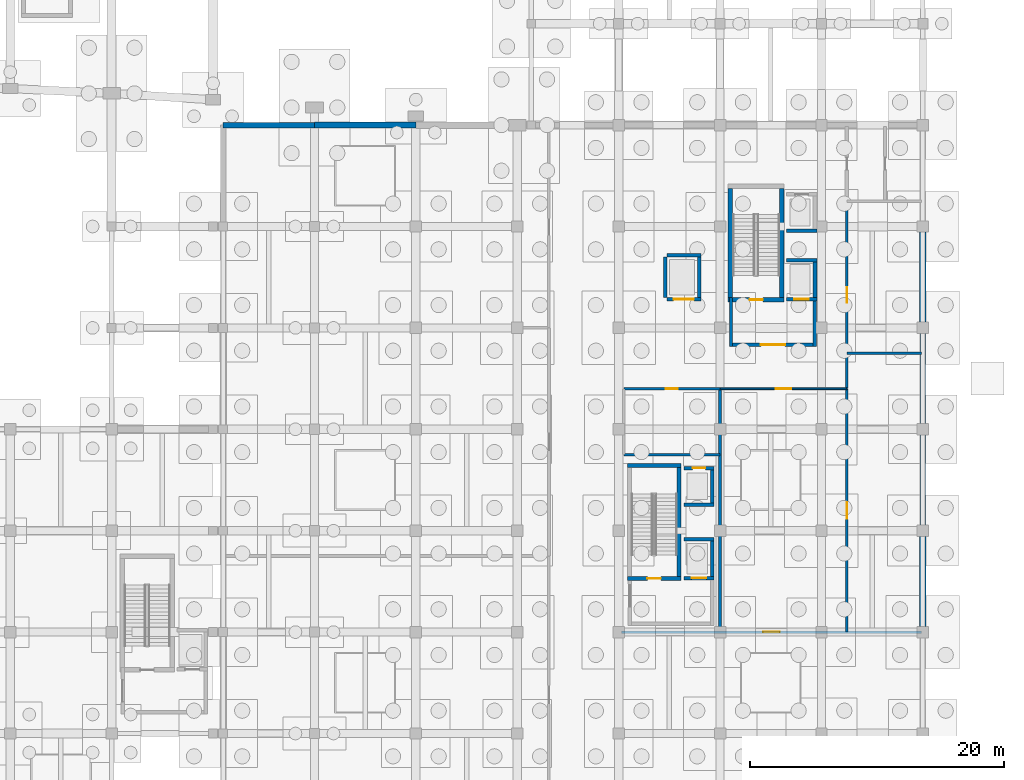
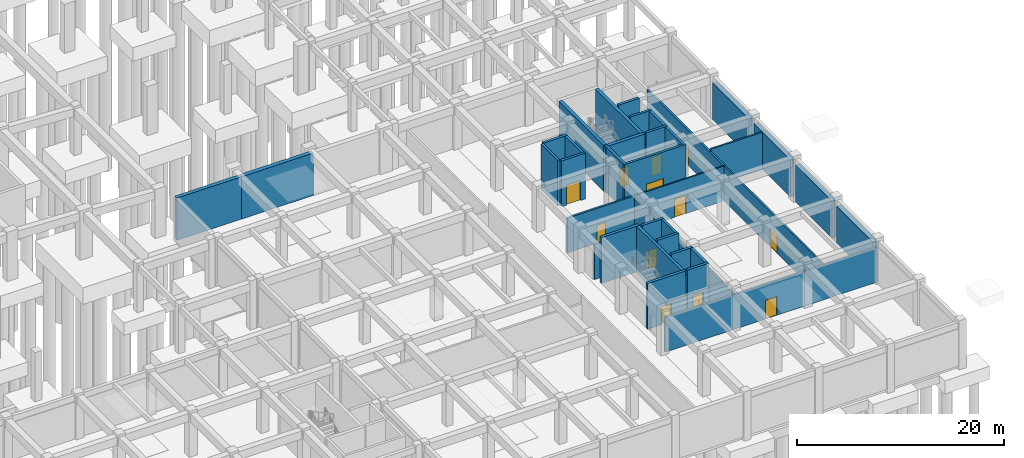
# One storey, part 30 of 45: 37 walls, 12 doors, 12 openings.
"""IFC4 building model written with IfcOpenShell, lengths in metres."""

from ifc_helpers import new_model, si_unit, direction, frame, frame_2d, origin, place, context, subcontext, project, spatial, rectangle, extrude, material, layer, layer_set, type_object, element, fill, save


model = new_model("IFC4")

# Units and contexts
model_context = context("Model", 3, precision=1e-05, world=origin(), true_north=direction((0.0, 1.0)))
body_context = subcontext(model_context, "Body", "Model", "MODEL_VIEW")
ifc_project = project(units=[si_unit("LENGTHUNIT", "METRE"), si_unit("AREAUNIT", "SQUARE_METRE"), si_unit("VOLUMEUNIT", "CUBIC_METRE"), si_unit("PLANEANGLEUNIT", "RADIAN"), si_unit("MASSUNIT", "GRAM", prefix="KILO")], contexts=[model_context])

# Site, building, storey
site_placement = place(None, origin())
site = spatial("IfcSite", under=ifc_project, at=site_placement, CompositionType="ELEMENT")
building_placement = place(site_placement, origin())
building = spatial("IfcBuilding", under=site, at=building_placement, Name="Kenh Van Central Station", CompositionType="ELEMENT")
storey_placement = place(building_placement, frame((0.0, 0.0, -5.39990234375)))
storey = spatial("IfcBuildingStorey", under=building, at=storey_placement, Name="B1", CompositionType="ELEMENT", Elevation=-5.39990234375)

# Wall, opening, door
ifc_material_1 = material(Name="Lightweight acoustic masonry blockwork", Category="masonry")
ifc_layer_1 = layer(ifc_material_1, 0.18994140625, Name="Lightweight acoustic masonry blockwork")
ifc_layer_set_1 = layer_set([ifc_layer_1], Name="Lightweight acoustic masonry blockwork")
wall_type_1 = type_object("IfcWallType", Name="WL-COMP-190", PredefinedType="SOLIDWALL", material=ifc_layer_set_1)
wall_1_placement = place(storey_placement, frame((170.0, 24.02001953125, 0.0), z_axis=(0.0, 0.0, 1.0), x_axis=(0.0, 1.0, 0.0)))
wall_1 = element("IfcWall", 1, at=wall_1_placement, inside=storey, type_object=wall_type_1, Name="B1 interior wall 0029", PredefinedType="SOLIDWALL", context=body_context, shape_type="SweptSolid", body=[
    extrude(rectangle(XDim=19.159912109375, YDim=0.18994140625, at=frame_2d((9.580078125, 0.0))), origin(), (0.0, 0.0, 1.0), 4.10986328125),
])
opening_1_placement = place(wall_1_placement, frame((8.929931640625, 0.0, 0.0)))
opening_1 = element("IfcOpeningElement", 2, at=opening_1_placement, cuts=wall_1, Name="Opening D-FD60P", PredefinedType="OPENING", context=body_context, shape_type="SweptSolid", body=[
    extrude(rectangle(XDim=1.300048828125, YDim=2.199951171875, at=frame_2d((0.64990234375, 1.10009765625))), frame((0.0, 0.10498046875, 0.0), z_axis=(0.0, -1.0, 0.0), x_axis=(1.0, 0.0, 0.0)), (0.0, 0.0, 1.0), 0.2099609375),
])
ifc_material_2 = material(Name="Champagne anodised aluminium", Category="aluminium")
door_type_1 = type_object("IfcDoorType", Name="DR-FIRE-1300x2200", OperationType="NOTDEFINED", PredefinedType="DOOR", material=ifc_material_2)
door_1_placement = place(opening_1_placement, origin())
door_1 = element("IfcDoor", 3, at=door_1_placement, inside=storey, type_object=door_type_1, Name="B1 interior door 0017", OperationType="SINGLE_SWING_RIGHT", OverallHeight=2.199951171875, OverallWidth=1.300048828125, PredefinedType="DOOR", context=body_context, shape_type="SweptSolid", body=[
    extrude(rectangle(XDim=1.300048828125, YDim=2.199951171875, at=frame_2d((0.64990234375, 1.10009765625))), frame((0.0, 0.02490234375, 0.0), z_axis=(0.0, -1.0, 0.0), x_axis=(1.0, 0.0, 0.0)), (0.0, 0.0, 1.0), 0.050048828125),
])
fill(opening_1, door_1)

# Walls
wall_2_placement = place(storey_placement, frame((170.02001953125, 46.0, 0.0), z_axis=(0.0, 0.0, 1.0), x_axis=(1.0, 0.0, 0.0)))
element("IfcWall", 4, at=wall_2_placement, inside=storey, type_object=wall_type_1, Name="B1 interior wall 0031", PredefinedType="SOLIDWALL", context=body_context, shape_type="SweptSolid", body=[
    extrude(rectangle(XDim=5.85986328125, YDim=0.18994140625, at=frame_2d((2.929931640625, 0.0))), origin(), (0.0, 0.0, 1.0), 4.35986328125),
])
wall_3_placement = place(storey_placement, frame((152.419921875, 38.0, 0.0), z_axis=(0.0, 0.0, 1.0), x_axis=(1.0, 0.0, 0.0)))
element("IfcWall", 5, at=wall_3_placement, inside=storey, type_object=wall_type_1, Name="B1 interior wall 0035", PredefinedType="SOLIDWALL", context=body_context, shape_type="SweptSolid", body=[
    extrude(rectangle(XDim=7.56005859375, YDim=0.18994140625, at=frame_2d((3.780029296875, 0.0))), origin(), (0.0, 0.0, 1.0), 4.10986328125),
])

# Wall, opening, door
ifc_layer_2 = layer(ifc_material_1, 0.2099609375, Name="Lightweight acoustic masonry blockwork")
ifc_layer_set_2 = layer_set([ifc_layer_2], Name="Lightweight acoustic masonry blockwork")
wall_type_2 = type_object("IfcWallType", Name="WL-COMP-210", PredefinedType="SOLIDWALL", material=ifc_layer_set_2)
wall_4_placement = place(storey_placement, frame((152.219970703125, 24.0, 0.0), z_axis=(0.0, 0.0, 1.0), x_axis=(1.0, 0.0, 0.0)))
wall_4 = element("IfcWall", 6, at=wall_4_placement, inside=storey, type_object=wall_type_2, Name="B1 interior wall 0028", PredefinedType="SOLIDWALL", context=body_context, shape_type="SweptSolid", body=[
    extrude(rectangle(XDim=23.659912109375, YDim=0.2099609375, at=frame_2d((11.830078125, 0.0))), origin(), (0.0, 0.0, 1.0), 4.10986328125),
])
opening_2_placement = place(wall_4_placement, frame((11.179931640625, 0.0, 0.0)))
opening_2 = element("IfcOpeningElement", 7, at=opening_2_placement, cuts=wall_4, Name="Opening D-FD60P", PredefinedType="OPENING", context=body_context, shape_type="SweptSolid", body=[
    extrude(rectangle(XDim=1.300048828125, YDim=2.199951171875, at=frame_2d((0.64990234375, 1.10009765625))), frame((0.0, 0.114990234375, 0.0), z_axis=(0.0, -1.0, 0.0), x_axis=(1.0, 0.0, 0.0)), (0.0, 0.0, 1.0), 0.22998046875),
])
door_2_placement = place(opening_2_placement, origin())
door_2 = element("IfcDoor", 8, at=door_2_placement, inside=storey, type_object=door_type_1, Name="B1 interior door 0016", OperationType="SINGLE_SWING_LEFT", OverallHeight=2.199951171875, OverallWidth=1.300048828125, PredefinedType="DOOR", context=body_context, shape_type="SweptSolid", body=[
    extrude(rectangle(XDim=1.300048828125, YDim=2.199951171875, at=frame_2d((0.64990234375, 1.10009765625))), frame((0.0, 0.02490234375, 0.0), z_axis=(0.0, -1.0, 0.0), x_axis=(1.0, 0.0, 0.0)), (0.0, 0.0, 1.0), 0.050048828125),
])
fill(opening_2, door_2)

wall_5_placement = place(storey_placement, frame((170.0, 43.219970703125, 0.0), z_axis=(0.0, 0.0, 1.0), x_axis=(0.0, 1.0, 0.0)))
wall_5 = element("IfcWall", 9, at=wall_5_placement, inside=storey, type_object=wall_type_2, Name="B1 interior wall 0030", PredefinedType="SOLIDWALL", context=body_context, shape_type="SweptSolid", body=[
    extrude(rectangle(XDim=14.760009765625, YDim=0.2099609375, at=frame_2d((7.3798828125, 0.0))), origin(), (0.0, 0.0, 1.0), 4.10986328125),
])
opening_3_placement = place(wall_5_placement, frame((6.780029296875, 0.0, 0.0)))
opening_3 = element("IfcOpeningElement", 10, at=opening_3_placement, cuts=wall_5, Name="Opening D-FD60S", PredefinedType="OPENING", context=body_context, shape_type="SweptSolid", body=[
    extrude(rectangle(XDim=1.199951171875, YDim=2.14990234375, at=frame_2d((0.60009765625, 1.074951171875))), frame((0.0, 0.114990234375, 0.0), z_axis=(0.0, -1.0, 0.0), x_axis=(1.0, 0.0, 0.0)), (0.0, 0.0, 1.0), 0.22998046875),
])
door_type_2 = type_object("IfcDoorType", Name="DR-FIRE-1200x2150", OperationType="NOTDEFINED", PredefinedType="DOOR", material=ifc_material_2)
door_3_placement = place(opening_3_placement, origin())
door_3 = element("IfcDoor", 11, at=door_3_placement, inside=storey, type_object=door_type_2, Name="B1 interior door 0018", OperationType="SINGLE_SWING_LEFT", OverallHeight=2.14990234375, OverallWidth=1.199951171875, PredefinedType="DOOR", context=body_context, shape_type="SweptSolid", body=[
    extrude(rectangle(XDim=1.199951171875, YDim=2.14990234375, at=frame_2d((0.60009765625, 1.074951171875))), frame((0.0, 0.02490234375, 0.0), z_axis=(0.0, -1.0, 0.0), x_axis=(1.0, 0.0, 0.0)), (0.0, 0.0, 1.0), 0.050048828125),
])
fill(opening_3, door_3)

wall_6_placement = place(storey_placement, frame((152.419921875, 43.199951171875, 0.0), z_axis=(0.0, 0.0, 1.0), x_axis=(1.0, 0.0, 0.0)))
wall_6 = element("IfcWall", 12, at=wall_6_placement, inside=storey, type_object=wall_type_2, Name="B1 interior wall 0036", PredefinedType="SOLIDWALL", context=body_context, shape_type="SweptSolid", body=[
    extrude(rectangle(XDim=7.56005859375, YDim=0.2099609375, at=frame_2d((3.780029296875, 0.0))), origin(), (0.0, 0.0, 1.0), 4.10986328125),
])
opening_4_placement = place(wall_6_placement, frame((3.304931640625, 0.0, 0.0)))
opening_4 = element("IfcOpeningElement", 13, at=opening_4_placement, cuts=wall_6, Name="Opening D-FD30", PredefinedType="OPENING", context=body_context, shape_type="SweptSolid", body=[
    extrude(rectangle(XDim=0.949951171875, YDim=2.10009765625, at=frame_2d((0.47509765625, 1.050048828125))), frame((0.0, 0.114990234375, 0.0), z_axis=(0.0, -1.0, 0.0), x_axis=(1.0, 0.0, 0.0)), (0.0, 0.0, 1.0), 0.22998046875),
])
door_type_3 = type_object("IfcDoorType", Name="DR-FIRE-950x2100", OperationType="NOTDEFINED", PredefinedType="DOOR", material=ifc_material_2)
door_4_placement = place(opening_4_placement, origin())
door_4 = element("IfcDoor", 14, at=door_4_placement, inside=storey, type_object=door_type_3, Name="B1 interior door 0021", OperationType="SINGLE_SWING_RIGHT", OverallHeight=2.10009765625, OverallWidth=0.949951171875, PredefinedType="DOOR", context=body_context, shape_type="SweptSolid", body=[
    extrude(rectangle(XDim=0.949951171875, YDim=2.10009765625, at=frame_2d((0.47509765625, 1.050048828125))), frame((0.0, 0.02490234375, 0.0), z_axis=(0.0, -1.0, 0.0), x_axis=(1.0, 0.0, 0.0)), (0.0, 0.0, 1.0), 0.050048828125),
])
fill(opening_4, door_4)

# Wall
wall_7_placement = place(storey_placement, frame((160.0, 24.02001953125, 0.0), z_axis=(0.0, 0.0, 1.0), x_axis=(0.0, 1.0, 0.0)))
element("IfcWall", 15, at=wall_7_placement, inside=storey, type_object=wall_type_2, Name="B1 interior wall 0038", PredefinedType="SOLIDWALL", context=body_context, shape_type="SweptSolid", body=[
    extrude(rectangle(XDim=19.159912109375, YDim=0.2099609375, at=frame_2d((9.580078125, 0.0))), origin(), (0.0, 0.0, 1.0), 4.10986328125),
])

# Wall, opening, door
ifc_material_3 = material(Name="Concrete C40/50", Category="concrete")
ifc_layer_3 = layer(ifc_material_3, 0.280029296875, Name="Concrete C40/50")
ifc_layer_set_3 = layer_set([ifc_layer_3], Name="Concrete C40/50")
wall_type_3 = type_object("IfcWallType", Name="WL-CORE-280", PredefinedType="SHEAR", material=ifc_layer_set_3)
wall_8_placement = place(storey_placement, frame((157.14990234375, 28.260009765625, 0.0), z_axis=(0.0, 0.0, 1.0), x_axis=(1.0, 0.0, 0.0)))
wall_8 = element("IfcWall", 16, at=wall_8_placement, inside=storey, type_object=wall_type_3, Name="B1 LIFT-FF1 shaft wall S", PredefinedType="SHEAR", context=body_context, shape_type="SweptSolid", body=[
    extrude(rectangle(XDim=2.380126953125, YDim=0.280029296875, at=frame_2d((1.18994140625, 0.0))), origin(), (0.0, 0.0, 1.0), 5.39990234375),
])
opening_5_placement = place(wall_8_placement, frame((0.614990234375, 0.0, 0.0)))
opening_5 = element("IfcOpeningElement", 17, at=opening_5_placement, cuts=wall_8, Name="Opening LD-FF1", PredefinedType="OPENING", context=body_context, shape_type="SweptSolid", body=[
    extrude(rectangle(XDim=1.14990234375, YDim=2.199951171875, at=frame_2d((0.574951171875, 1.10009765625))), frame((0.0, 0.14990234375, 0.0), z_axis=(0.0, -1.0, 0.0), x_axis=(1.0, 0.0, 0.0)), (0.0, 0.0, 1.0), 0.300048828125),
])
door_type_4 = type_object("IfcDoorType", Name="DR-LIFT-1150x2200", OperationType="SLIDING_TO_LEFT", PredefinedType="DOOR", material=ifc_material_2)
door_5_placement = place(opening_5_placement, origin())
door_5 = element("IfcDoor", 18, at=door_5_placement, inside=storey, type_object=door_type_4, Name="B1 LIFT-FF1 sliding landing door", OperationType="SLIDING_TO_LEFT", OverallHeight=2.199951171875, OverallWidth=1.14990234375, PredefinedType="DOOR", context=body_context, shape_type="SweptSolid", body=[
    extrude(rectangle(XDim=1.14990234375, YDim=2.199951171875, at=frame_2d((0.574951171875, 1.10009765625))), frame((0.0, 0.02490234375, 0.0), z_axis=(0.0, -1.0, 0.0), x_axis=(1.0, 0.0, 0.0)), (0.0, 0.0, 1.0), 0.050048828125),
])
fill(opening_5, door_5)

# Walls
wall_9_placement = place(storey_placement, frame((157.14990234375, 31.340087890625, 0.0), z_axis=(0.0, 0.0, 1.0), x_axis=(1.0, 0.0, 0.0)))
element("IfcWall", 19, at=wall_9_placement, inside=storey, type_object=wall_type_3, Name="B1 LIFT-FF1 shaft wall N", PredefinedType="SHEAR", context=body_context, shape_type="SweptSolid", body=[
    extrude(rectangle(XDim=2.380126953125, YDim=0.280029296875, at=frame_2d((1.18994140625, 0.0))), origin(), (0.0, 0.0, 1.0), 5.39990234375),
])
wall_10_placement = place(storey_placement, frame((159.389892578125, 28.39990234375, 0.0), z_axis=(0.0, 0.0, 1.0), x_axis=(0.0, 1.0, 0.0)))
element("IfcWall", 20, at=wall_10_placement, inside=storey, type_object=wall_type_3, Name="B1 LIFT-FF1 shaft wall E", PredefinedType="SHEAR", context=body_context, shape_type="SweptSolid", body=[
    extrude(rectangle(XDim=2.800048828125, YDim=0.280029296875, at=frame_2d((1.39990234375, 0.0))), origin(), (0.0, 0.0, 1.0), 5.39990234375),
])
wall_11_placement = place(storey_placement, frame((157.14990234375, 34.06005859375, 0.0), z_axis=(0.0, 0.0, 1.0), x_axis=(1.0, 0.0, 0.0)))
element("IfcWall", 21, at=wall_11_placement, inside=storey, type_object=wall_type_3, Name="B1 LIFT-OP1 shaft wall S", PredefinedType="SHEAR", context=body_context, shape_type="SweptSolid", body=[
    extrude(rectangle(XDim=2.380126953125, YDim=0.280029296875, at=frame_2d((1.18994140625, 0.0))), origin(), (0.0, 0.0, 1.0), 5.39990234375),
])

# Wall, opening, door
wall_12_placement = place(storey_placement, frame((157.14990234375, 36.93994140625, 0.0), z_axis=(0.0, 0.0, 1.0), x_axis=(1.0, 0.0, 0.0)))
wall_12 = element("IfcWall", 22, at=wall_12_placement, inside=storey, type_object=wall_type_3, Name="B1 LIFT-OP1 shaft wall N", PredefinedType="SHEAR", context=body_context, shape_type="SweptSolid", body=[
    extrude(rectangle(XDim=2.380126953125, YDim=0.280029296875, at=frame_2d((1.18994140625, 0.0))), origin(), (0.0, 0.0, 1.0), 5.39990234375),
])
opening_6_placement = place(wall_12_placement, frame((0.68994140625, 0.0, 0.0)))
opening_6 = element("IfcOpeningElement", 23, at=opening_6_placement, cuts=wall_12, Name="Opening LD-OP1", PredefinedType="OPENING", context=body_context, shape_type="SweptSolid", body=[
    extrude(rectangle(XDim=1.0, YDim=2.14990234375, at=frame_2d((0.5, 1.074951171875))), frame((0.0, 0.14990234375, 0.0), z_axis=(0.0, -1.0, 0.0), x_axis=(1.0, 0.0, 0.0)), (0.0, 0.0, 1.0), 0.300048828125),
])
door_type_5 = type_object("IfcDoorType", Name="DR-LIFT-1000x2150", OperationType="SLIDING_TO_LEFT", PredefinedType="DOOR", material=ifc_material_2)
door_6_placement = place(opening_6_placement, origin())
door_6 = element("IfcDoor", 24, at=door_6_placement, inside=storey, type_object=door_type_5, Name="B1 LIFT-OP1 sliding landing door", OperationType="SLIDING_TO_LEFT", OverallHeight=2.14990234375, OverallWidth=1.0, PredefinedType="DOOR", context=body_context, shape_type="SweptSolid", body=[
    extrude(rectangle(XDim=1.0, YDim=2.14990234375, at=frame_2d((0.5, 1.074951171875))), frame((0.0, 0.02490234375, 0.0), z_axis=(0.0, -1.0, 0.0), x_axis=(1.0, 0.0, 0.0)), (0.0, 0.0, 1.0), 0.050048828125),
])
fill(opening_6, door_6)

# Wall
wall_13_placement = place(storey_placement, frame((159.389892578125, 34.199951171875, 0.0), z_axis=(0.0, 0.0, 1.0), x_axis=(0.0, 1.0, 0.0)))
element("IfcWall", 25, at=wall_13_placement, inside=storey, type_object=wall_type_3, Name="B1 LIFT-OP1 shaft wall E", PredefinedType="SHEAR", context=body_context, shape_type="SweptSolid", body=[
    extrude(rectangle(XDim=2.60009765625, YDim=0.280029296875, at=frame_2d((1.300048828125, 0.0))), origin(), (0.0, 0.0, 1.0), 5.39990234375),
])

# Wall, opening, door
wall_14_placement = place(storey_placement, frame((165.25, 50.260009765625, 0.0), z_axis=(0.0, 0.0, 1.0), x_axis=(1.0, 0.0, 0.0)))
wall_14 = element("IfcWall", 26, at=wall_14_placement, inside=storey, type_object=wall_type_3, Name="B1 LIFT-FF2 shaft wall S", PredefinedType="SHEAR", context=body_context, shape_type="SweptSolid", body=[
    extrude(rectangle(XDim=2.3798828125, YDim=0.280029296875, at=frame_2d((1.18994140625, 0.0))), origin(), (0.0, 0.0, 1.0), 5.39990234375),
])
opening_7_placement = place(wall_14_placement, frame((0.614990234375, 0.0, 0.0)))
opening_7 = element("IfcOpeningElement", 27, at=opening_7_placement, cuts=wall_14, Name="Opening LD-FF1", PredefinedType="OPENING", context=body_context, shape_type="SweptSolid", body=[
    extrude(rectangle(XDim=1.14990234375, YDim=2.199951171875, at=frame_2d((0.574951171875, 1.10009765625))), frame((0.0, 0.14990234375, 0.0), z_axis=(0.0, -1.0, 0.0), x_axis=(1.0, 0.0, 0.0)), (0.0, 0.0, 1.0), 0.300048828125),
])
door_7_placement = place(opening_7_placement, origin())
door_7 = element("IfcDoor", 28, at=door_7_placement, inside=storey, type_object=door_type_4, Name="B1 LIFT-FF2 sliding landing door", OperationType="SLIDING_TO_LEFT", OverallHeight=2.199951171875, OverallWidth=1.14990234375, PredefinedType="DOOR", context=body_context, shape_type="SweptSolid", body=[
    extrude(rectangle(XDim=1.14990234375, YDim=2.199951171875, at=frame_2d((0.574951171875, 1.10009765625))), frame((0.0, 0.02490234375, 0.0), z_axis=(0.0, -1.0, 0.0), x_axis=(1.0, 0.0, 0.0)), (0.0, 0.0, 1.0), 0.050048828125),
])
fill(opening_7, door_7)

# Walls
wall_15_placement = place(storey_placement, frame((165.25, 53.340087890625, 0.0), z_axis=(0.0, 0.0, 1.0), x_axis=(1.0, 0.0, 0.0)))
element("IfcWall", 29, at=wall_15_placement, inside=storey, type_object=wall_type_3, Name="B1 LIFT-FF2 shaft wall N", PredefinedType="SHEAR", context=body_context, shape_type="SweptSolid", body=[
    extrude(rectangle(XDim=2.3798828125, YDim=0.280029296875, at=frame_2d((1.18994140625, 0.0))), origin(), (0.0, 0.0, 1.0), 5.39990234375),
])
wall_16_placement = place(storey_placement, frame((167.489990234375, 50.39990234375, 0.0), z_axis=(0.0, 0.0, 1.0), x_axis=(0.0, 1.0, 0.0)))
element("IfcWall", 30, at=wall_16_placement, inside=storey, type_object=wall_type_3, Name="B1 LIFT-FF2 shaft wall E", PredefinedType="SHEAR", context=body_context, shape_type="SweptSolid", body=[
    extrude(rectangle(XDim=2.800048828125, YDim=0.280029296875, at=frame_2d((1.39990234375, 0.0))), origin(), (0.0, 0.0, 1.0), 5.39990234375),
])
wall_17_placement = place(storey_placement, frame((165.25, 55.659912109375, 0.0), z_axis=(0.0, 0.0, 1.0), x_axis=(1.0, 0.0, 0.0)))
element("IfcWall", 31, at=wall_17_placement, inside=storey, type_object=wall_type_3, Name="B1 LIFT-OP2 shaft wall S", PredefinedType="SHEAR", context=body_context, shape_type="SweptSolid", body=[
    extrude(rectangle(XDim=2.3798828125, YDim=0.280029296875, at=frame_2d((1.18994140625, 0.0))), origin(), (0.0, 0.0, 1.0), 5.39990234375),
])

# Wall, opening, door
wall_18_placement = place(storey_placement, frame((155.800048828125, 50.260009765625, 0.0), z_axis=(0.0, 0.0, 1.0), x_axis=(1.0, 0.0, 0.0)))
wall_18 = element("IfcWall", 32, at=wall_18_placement, inside=storey, type_object=wall_type_3, Name="B1 LIFT-GD1 shaft wall S", PredefinedType="SHEAR", context=body_context, shape_type="SweptSolid", body=[
    extrude(rectangle(XDim=2.679931640625, YDim=0.280029296875, at=frame_2d((1.33984375, 0.0))), origin(), (0.0, 0.0, 1.0), 5.39990234375),
])
opening_8_placement = place(wall_18_placement, frame((0.5400390625, 0.0, 0.0)))
opening_8 = element("IfcOpeningElement", 33, at=opening_8_placement, cuts=wall_18, Name="Opening LD-GD1", PredefinedType="OPENING", context=body_context, shape_type="SweptSolid", body=[
    extrude(rectangle(XDim=1.60009765625, YDim=2.35009765625, at=frame_2d((0.800048828125, 1.175048828125))), frame((0.0, 0.14990234375, 0.0), z_axis=(0.0, -1.0, 0.0), x_axis=(1.0, 0.0, 0.0)), (0.0, 0.0, 1.0), 0.300048828125),
])
door_type_6 = type_object("IfcDoorType", Name="DR-LIFT-1600x2350", OperationType="SLIDING_TO_LEFT", PredefinedType="DOOR", material=ifc_material_2)
door_8_placement = place(opening_8_placement, origin())
door_8 = element("IfcDoor", 34, at=door_8_placement, inside=storey, type_object=door_type_6, Name="B1 LIFT-GD1 sliding landing door", OperationType="SLIDING_TO_LEFT", OverallHeight=2.35009765625, OverallWidth=1.60009765625, PredefinedType="DOOR", context=body_context, shape_type="SweptSolid", body=[
    extrude(rectangle(XDim=1.60009765625, YDim=2.35009765625, at=frame_2d((0.800048828125, 1.175048828125))), frame((0.0, 0.02490234375, 0.0), z_axis=(0.0, -1.0, 0.0), x_axis=(1.0, 0.0, 0.0)), (0.0, 0.0, 1.0), 0.050048828125),
])
fill(opening_8, door_8)

# Walls
wall_19_placement = place(storey_placement, frame((155.800048828125, 53.739990234375, 0.0), z_axis=(0.0, 0.0, 1.0), x_axis=(1.0, 0.0, 0.0)))
element("IfcWall", 35, at=wall_19_placement, inside=storey, type_object=wall_type_3, Name="B1 LIFT-GD1 shaft wall N", PredefinedType="SHEAR", context=body_context, shape_type="SweptSolid", body=[
    extrude(rectangle(XDim=2.679931640625, YDim=0.280029296875, at=frame_2d((1.33984375, 0.0))), origin(), (0.0, 0.0, 1.0), 5.39990234375),
])
for number, where, z_axis, x_axis, name in (
    (36, (158.340087890625, 50.39990234375, 0.0), (0.0, 0.0, 1.0), (0.0, 1.0, 0.0), "B1 LIFT-GD1 shaft wall E"),
    (37, (155.659912109375, 50.39990234375, 0.0), (0.0, 0.0, 1.0), (0.0, 1.0, 0.0), "B1 LIFT-GD1 shaft wall W"),
):
    element("IfcWall", number, at=place(storey_placement, frame(where, z_axis=z_axis, x_axis=x_axis)), inside=storey, type_object=wall_type_3, Name=name, PredefinedType="SHEAR", context=body_context, shape_type="SweptSolid", body=[
        extrude(rectangle(XDim=3.2001953125, YDim=0.280029296875, at=frame_2d((1.60009765625, 0.0))), origin(), (0.0, 0.0, 1.0), 5.39990234375),
    ])

# Wall, opening, door
ifc_layer_4 = layer(ifc_material_3, 0.320068359375, Name="Concrete C40/50")
ifc_layer_set_4 = layer_set([ifc_layer_4], Name="Concrete C40/50")
wall_type_4 = type_object("IfcWallType", Name="WL-CORE-320", PredefinedType="SHEAR", material=ifc_layer_set_4)
wall_20_placement = place(storey_placement, frame((152.679931640625, 28.239990234375, 0.0), z_axis=(0.0, 0.0, 1.0), x_axis=(1.0, 0.0, 0.0)))
wall_20 = element("IfcWall", 38, at=wall_20_placement, inside=storey, type_object=wall_type_4, Name="B1 CORE-09 stair wall S", PredefinedType="SHEAR", context=body_context, shape_type="SweptSolid", body=[
    extrude(rectangle(XDim=4.239990234375, YDim=0.320068359375, at=frame_2d((2.1201171875, 0.0))), origin(), (0.0, 0.0, 1.0), 5.39990234375),
])
opening_9_placement = place(wall_20_placement, frame((1.594970703125, 0.0, 0.0)))
opening_9 = element("IfcOpeningElement", 39, at=opening_9_placement, cuts=wall_20, Name="Opening D-FD60", PredefinedType="OPENING", context=body_context, shape_type="SweptSolid", body=[
    extrude(rectangle(XDim=1.050048828125, YDim=2.14990234375, at=frame_2d((0.52490234375, 1.074951171875))), frame((0.0, 0.169921875, 0.0), z_axis=(0.0, -1.0, 0.0), x_axis=(1.0, 0.0, 0.0)), (0.0, 0.0, 1.0), 0.340087890625),
])
door_type_7 = type_object("IfcDoorType", Name="DR-FIRE-1050x2150", OperationType="NOTDEFINED", PredefinedType="DOOR", material=ifc_material_2)
door_9_placement = place(opening_9_placement, origin())
door_9 = element("IfcDoor", 40, at=door_9_placement, inside=storey, type_object=door_type_7, Name="B1 ST-09 stair door", OperationType="SINGLE_SWING_RIGHT", OverallHeight=2.14990234375, OverallWidth=1.050048828125, PredefinedType="DOOR", context=body_context, shape_type="SweptSolid", body=[
    extrude(rectangle(XDim=1.050048828125, YDim=2.14990234375, at=frame_2d((0.52490234375, 1.074951171875))), frame((0.0, 0.02490234375, 0.0), z_axis=(0.0, -1.0, 0.0), x_axis=(1.0, 0.0, 0.0)), (0.0, 0.0, 1.0), 0.050048828125),
])
fill(opening_9, door_9)

# Walls
wall_21_placement = place(storey_placement, frame((152.679931640625, 37.159912109375, 0.0), z_axis=(0.0, 0.0, 1.0), x_axis=(1.0, 0.0, 0.0)))
element("IfcWall", 41, at=wall_21_placement, inside=storey, type_object=wall_type_4, Name="B1 CORE-09 stair wall N", PredefinedType="SHEAR", context=body_context, shape_type="SweptSolid", body=[
    extrude(rectangle(XDim=4.239990234375, YDim=0.320068359375, at=frame_2d((2.1201171875, 0.0))), origin(), (0.0, 0.0, 1.0), 5.39990234375),
])
wall_22_placement = place(storey_placement, frame((156.760009765625, 28.39990234375, 0.0), z_axis=(0.0, 0.0, 1.0), x_axis=(0.0, 1.0, 0.0)))
element("IfcWall", 42, at=wall_22_placement, inside=storey, type_object=wall_type_4, Name="B1 CORE-09 stair wall E", PredefinedType="SHEAR", context=body_context, shape_type="SweptSolid", body=[
    extrude(rectangle(XDim=8.60009765625, YDim=0.320068359375, at=frame_2d((4.300048828125, 0.0))), origin(), (0.0, 0.0, 1.0), 5.39990234375),
])

# Wall, opening, door
ifc_layer_5 = layer(ifc_material_3, 0.360107421875, Name="Concrete C40/50")
ifc_layer_set_5 = layer_set([ifc_layer_5], Name="Concrete C40/50")
wall_type_5 = type_object("IfcWallType", Name="WL-CORE-360", PredefinedType="SHEAR", material=ifc_layer_set_5)
wall_23_placement = place(storey_placement, frame((160.639892578125, 50.219970703125, 0.0), z_axis=(0.0, 0.0, 1.0), x_axis=(1.0, 0.0, 0.0)))
wall_23 = element("IfcWall", 43, at=wall_23_placement, inside=storey, type_object=wall_type_5, Name="B1 CORE-10 stair wall S", PredefinedType="SHEAR", context=body_context, shape_type="SweptSolid", body=[
    extrude(rectangle(XDim=4.420166015625, YDim=0.360107421875, at=frame_2d((2.2099609375, 0.0))), origin(), (0.0, 0.0, 1.0), 5.39990234375),
])
opening_10_placement = place(wall_23_placement, frame((1.68505859375, 0.0, 0.0)))
opening_10 = element("IfcOpeningElement", 44, at=opening_10_placement, cuts=wall_23, Name="Opening D-FD60", PredefinedType="OPENING", context=body_context, shape_type="SweptSolid", body=[
    extrude(rectangle(XDim=1.050048828125, YDim=2.14990234375, at=frame_2d((0.52490234375, 1.074951171875))), frame((0.0, 0.18994140625, 0.0), z_axis=(0.0, -1.0, 0.0), x_axis=(1.0, 0.0, 0.0)), (0.0, 0.0, 1.0), 0.380126953125),
])
door_10_placement = place(opening_10_placement, origin())
door_10 = element("IfcDoor", 45, at=door_10_placement, inside=storey, type_object=door_type_7, Name="B1 ST-10 stair door", OperationType="SINGLE_SWING_RIGHT", OverallHeight=2.14990234375, OverallWidth=1.050048828125, PredefinedType="DOOR", context=body_context, shape_type="SweptSolid", body=[
    extrude(rectangle(XDim=1.050048828125, YDim=2.14990234375, at=frame_2d((0.52490234375, 1.074951171875))), frame((0.0, 0.02490234375, 0.0), z_axis=(0.0, -1.0, 0.0), x_axis=(1.0, 0.0, 0.0)), (0.0, 0.0, 1.0), 0.050048828125),
])
fill(opening_10, door_10)

# Walls
for number, where, z_axis, x_axis, name in (
    (46, (160.820068359375, 50.39990234375, 0.0), (0.0, 0.0, 1.0), (0.0, 1.0, 0.0), "B1 CORE-10 stair wall W"),
    (47, (164.8798828125, 50.39990234375, 0.0), (0.0, 0.0, 1.0), (0.0, 1.0, 0.0), "B1 CORE-10 stair wall E"),
):
    element("IfcWall", number, at=place(storey_placement, frame(where, z_axis=z_axis, x_axis=x_axis)), inside=storey, type_object=wall_type_5, Name=name, PredefinedType="SHEAR", context=body_context, shape_type="SweptSolid", body=[
        extrude(rectangle(XDim=8.60009765625, YDim=0.360107421875, at=frame_2d((4.300048828125, 0.0))), origin(), (0.0, 0.0, 1.0), 5.39990234375),
    ])

# Wall, opening, door
ifc_layer_6 = layer(ifc_material_3, 0.260009765625, Name="Concrete C40/50")
ifc_layer_set_6 = layer_set([ifc_layer_6], Name="Concrete C40/50")
wall_type_6 = type_object("IfcWallType", Name="WL-FIRE-260", PredefinedType="SHEAR", material=ifc_layer_set_6)
wall_24_placement = place(storey_placement, frame((167.610107421875, 46.669921875, 0.0), z_axis=(0.0, 0.0, 1.0), x_axis=(-1.0, 0.0, 0.0)))
wall_24 = element("IfcWall", 48, at=wall_24_placement, inside=storey, type_object=wall_type_6, Name="B1 CORE-10 lobby wall S", PredefinedType="SHEAR", context=body_context, shape_type="SweptSolid", body=[
    extrude(rectangle(XDim=6.8701171875, YDim=0.260009765625, at=frame_2d((3.43505859375, 0.0))), origin(), (0.0, 0.0, 1.0), 5.39990234375),
])
opening_11_placement = place(wall_24_placement, frame((2.485107421875, 0.0, 0.0)))
opening_11 = element("IfcOpeningElement", 49, at=opening_11_placement, cuts=wall_24, Name="Opening D-FD60W", PredefinedType="OPENING", context=body_context, shape_type="SweptSolid", body=[
    extrude(rectangle(XDim=1.89990234375, YDim=2.25, at=frame_2d((0.949951171875, 1.125))), frame((0.0, 0.139892578125, 0.0), z_axis=(0.0, -1.0, 0.0), x_axis=(1.0, 0.0, 0.0)), (0.0, 0.0, 1.0), 0.280029296875),
])
door_type_8 = type_object("IfcDoorType", Name="DR-FIRE-1900x2250", OperationType="DOUBLE_DOOR_SINGLE_SWING", PredefinedType="DOOR", material=ifc_material_2)
door_11_placement = place(opening_11_placement, origin())
door_11 = element("IfcDoor", 50, at=door_11_placement, inside=storey, type_object=door_type_8, Name="B1 CORE-10 smoke-stop lobby door", OperationType="DOUBLE_DOOR_SINGLE_SWING", OverallHeight=2.25, OverallWidth=1.89990234375, PredefinedType="DOOR", context=body_context, shape_type="SweptSolid", body=[
    extrude(rectangle(XDim=1.89990234375, YDim=2.25, at=frame_2d((0.949951171875, 1.125))), frame((0.0, 0.02490234375, 0.0), z_axis=(0.0, -1.0, 0.0), x_axis=(1.0, 0.0, 0.0)), (0.0, 0.0, 1.0), 0.050048828125),
])
fill(opening_11, door_11)

# Walls
for number, where, z_axis, x_axis, name in (
    (51, (160.8701171875, 46.5400390625, 0.0), (0.0, 0.0, 1.0), (0.0, 1.0, 0.0), "B1 CORE-10 lobby wall W"),
    (52, (167.47998046875, 46.5400390625, 0.0), (0.0, 0.0, 1.0), (0.0, 1.0, 0.0), "B1 CORE-10 lobby wall E"),
):
    element("IfcWall", number, at=place(storey_placement, frame(where, z_axis=z_axis, x_axis=x_axis)), inside=storey, type_object=wall_type_6, Name=name, PredefinedType="SHEAR", context=body_context, shape_type="SweptSolid", body=[
        extrude(rectangle(XDim=3.85986328125, YDim=0.260009765625, at=frame_2d((1.929931640625, 0.0))), origin(), (0.0, 0.0, 1.0), 5.39990234375),
    ])

# Wall, opening, door
ifc_layer_7 = layer(ifc_material_1, 0.14990234375, Name="Lightweight acoustic masonry blockwork")
ifc_layer_set_7 = layer_set([ifc_layer_7], Name="Lightweight acoustic masonry blockwork")
wall_type_7 = type_object("IfcWallType", Name="WL-PART-150", PredefinedType="PARTITIONING", material=ifc_layer_set_7)
wall_25_placement = place(storey_placement, frame((160.02001953125, 43.199951171875, 0.0), z_axis=(0.0, 0.0, 1.0), x_axis=(1.0, 0.0, 0.0)))
wall_25 = element("IfcWall", 53, at=wall_25_placement, inside=storey, type_object=wall_type_7, Name="B1 interior wall 0205", PredefinedType="PARTITIONING", context=body_context, shape_type="SweptSolid", body=[
    extrude(rectangle(XDim=9.9599609375, YDim=0.14990234375, at=frame_2d((4.97998046875, 0.0))), origin(), (0.0, 0.0, 1.0), 4.10986328125),
])
opening_12_placement = place(wall_25_placement, frame((4.35498046875, 0.0, 0.0)))
opening_12 = element("IfcOpeningElement", 54, at=opening_12_placement, cuts=wall_25, Name="Opening D-IN04", PredefinedType="OPENING", context=body_context, shape_type="SweptSolid", body=[
    extrude(rectangle(XDim=1.25, YDim=2.14990234375, at=frame_2d((0.625, 1.074951171875))), frame((0.0, 0.0849609375, 0.0), z_axis=(0.0, -1.0, 0.0), x_axis=(1.0, 0.0, 0.0)), (0.0, 0.0, 1.0), 0.169921875),
])
ifc_material_4 = material(Name="Architectural hardwood timber", Category="wood")
door_type_9 = type_object("IfcDoorType", Name="DR-INT-1250x2150", OperationType="NOTDEFINED", PredefinedType="DOOR", material=ifc_material_4)
door_12_placement = place(opening_12_placement, origin())
door_12 = element("IfcDoor", 55, at=door_12_placement, inside=storey, type_object=door_type_9, Name="B1 interior door 0112", OperationType="SINGLE_SWING_LEFT", OverallHeight=2.14990234375, OverallWidth=1.25, PredefinedType="DOOR", context=body_context, shape_type="SweptSolid", body=[
    extrude(rectangle(XDim=1.25, YDim=2.14990234375, at=frame_2d((0.625, 1.074951171875))), frame((0.0, 0.02490234375, 0.0), z_axis=(0.0, -1.0, 0.0), x_axis=(1.0, 0.0, 0.0)), (0.0, 0.0, 1.0), 0.050048828125),
])
fill(opening_12, door_12)

# Walls
ifc_layer_8 = layer(ifc_material_3, 0.419921875, Name="Concrete C40/50")
ifc_layer_set_8 = layer_set([ifc_layer_8], Name="Concrete C40/50")
wall_type_8 = type_object("IfcWallType", Name="WL-RET-420", PredefinedType="USERDEFINED", material=ifc_layer_set_8)
wall_26_placement = place(storey_placement, frame((176.0, 32.449951171875, 0.0), z_axis=(0.0, 0.0, 1.0), x_axis=(0.0, 1.0, 0.0)))
element("IfcWall", 56, at=wall_26_placement, inside=storey, type_object=wall_type_8, Name="B1 retaining wall 039", ObjectType="RETAININGWALL", PredefinedType="USERDEFINED", context=body_context, shape_type="SweptSolid", body=[
    extrude(rectangle(XDim=7.10009765625, YDim=0.419921875, at=frame_2d((3.550048828125, 0.0))), origin(), (0.0, 0.0, 1.0), 4.35986328125),
])
wall_27_placement = place(storey_placement, frame((120.800048828125, 64.0, 0.0), z_axis=(0.0, 0.0, 1.0), x_axis=(1.0, 0.0, 0.0)))
element("IfcWall", 57, at=wall_27_placement, inside=storey, type_object=wall_type_8, Name="B1 retaining wall 057", ObjectType="RETAININGWALL", PredefinedType="USERDEFINED", context=body_context, shape_type="SweptSolid", body=[
    extrude(rectangle(XDim=7.199951171875, YDim=0.419921875, at=frame_2d((3.60009765625, 0.0))), origin(), (0.0, 0.0, 1.0), 5.0),
])
ifc_layer_9 = layer(ifc_material_3, 0.449951171875, Name="Concrete C40/50")
ifc_layer_set_9 = layer_set([ifc_layer_9], Name="Concrete C40/50")
wall_type_9 = type_object("IfcWallType", Name="WL-RET-450", PredefinedType="USERDEFINED", material=ifc_layer_set_9)
wall_28_placement = place(storey_placement, frame((176.0, 40.449951171875, 0.0), z_axis=(0.0, 0.0, 1.0), x_axis=(0.0, 1.0, 0.0)))
element("IfcWall", 58, at=wall_28_placement, inside=storey, type_object=wall_type_9, Name="B1 retaining wall 040", ObjectType="RETAININGWALL", PredefinedType="USERDEFINED", context=body_context, shape_type="SweptSolid", body=[
    extrude(rectangle(XDim=7.10009765625, YDim=0.449951171875, at=frame_2d((3.550048828125, 0.0))), origin(), (0.0, 0.0, 1.0), 4.35986328125),
])
wall_29_placement = place(storey_placement, frame((128.0, 64.0, 0.0), z_axis=(0.0, 0.0, 1.0), x_axis=(1.0, 0.0, 0.0)))
element("IfcWall", 59, at=wall_29_placement, inside=storey, type_object=wall_type_9, Name="B1 retaining wall 058", ObjectType="RETAININGWALL", PredefinedType="USERDEFINED", context=body_context, shape_type="SweptSolid", body=[
    extrude(rectangle(XDim=8.0, YDim=0.449951171875, at=frame_2d((4.0, 0.0))), origin(), (0.0, 0.0, 1.0), 5.0),
])
ifc_layer_10 = layer(ifc_material_3, 0.5, Name="Concrete C40/50")
ifc_layer_set_10 = layer_set([ifc_layer_10], Name="Concrete C40/50")
wall_type_10 = type_object("IfcWallType", Name="WL-RET-500", PredefinedType="USERDEFINED", material=ifc_layer_set_10)
for number, where, z_axis, x_axis, name in (
    (60, (176.0, 24.449951171875, 0.0), (0.0, 0.0, 1.0), (0.0, 1.0, 0.0), "B1 retaining wall 038"),
    (61, (176.0, 48.449951171875, 0.0), (0.0, 0.0, 1.0), (0.0, 1.0, 0.0), "B1 retaining wall 041"),
):
    element("IfcWall", number, at=place(storey_placement, frame(where, z_axis=z_axis, x_axis=x_axis)), inside=storey, type_object=wall_type_10, Name=name, ObjectType="RETAININGWALL", PredefinedType="USERDEFINED", context=body_context, shape_type="SweptSolid", body=[
        extrude(rectangle(XDim=7.10009765625, YDim=0.5, at=frame_2d((3.550048828125, 0.0))), origin(), (0.0, 0.0, 1.0), 4.35986328125),
    ])

save(model, "model.ifc")
